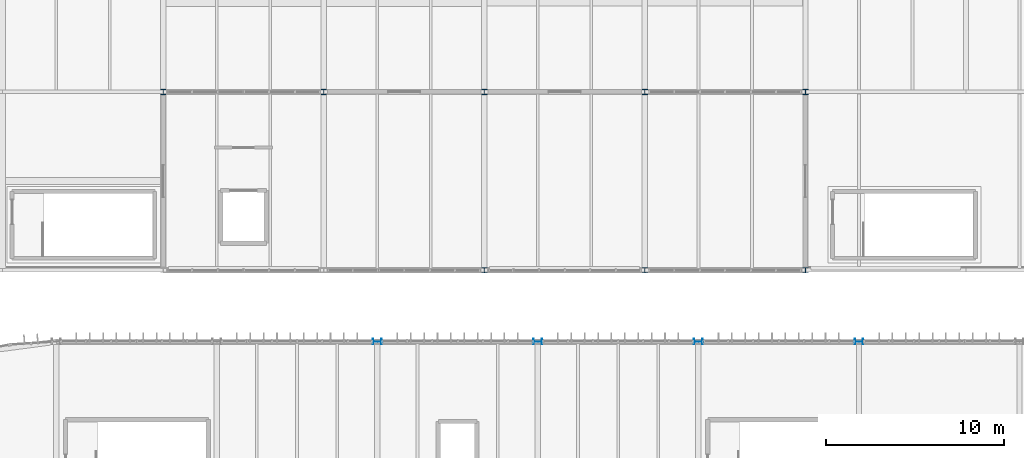
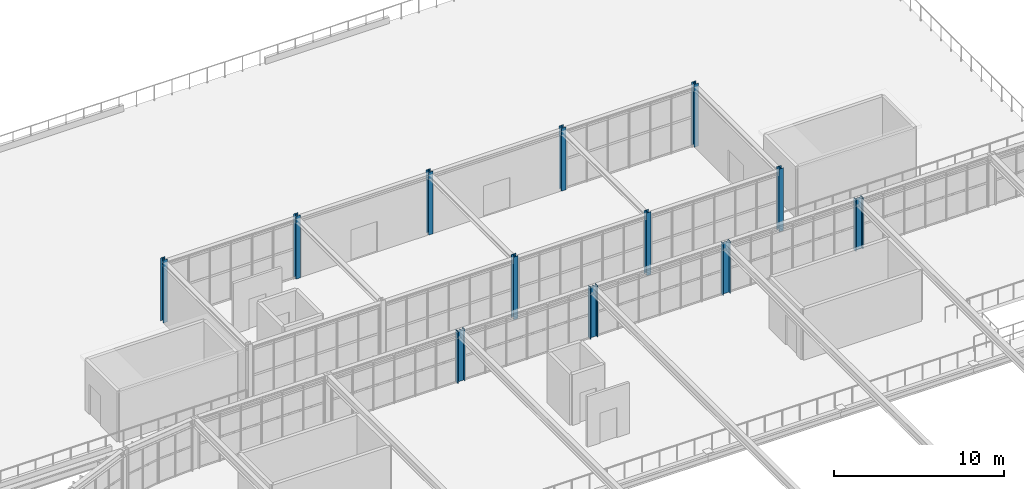
# One storey, part 7 of 152: 12 columns.
"""IFC4 building model written with IfcOpenShell, lengths in metres."""

import ifcopenshell
import ifcopenshell.guid

model = None  # the IFC model being written
_history = None  # IfcOwnerHistory: only IFC2X3 demands one
_inside = {}  # id of a spatial element -> (the spatial element, [elements in it])
_under = {}  # id of a project, library or spatial element -> (it, [spatial elements below it])
_declared = {}  # id of a project -> (the project, [libraries it declares])
_typed = {}  # id of a type object -> (the type object, [elements of that type])
_made_of = {}  # id of a material, layer set ... -> (it, [elements and type objects made of it])


def new_model(schema):
    """Start an empty IFC model of exactly this schema.

    Asked for "IFC4X3", IfcOpenShell would pick the latest addendum, in which some entities
    have other attributes; the version numbers below select the first issue.
    IFC2X3 requires an IfcOwnerHistory on every rooted entity: one is made here for all.
    """
    global model, _history
    if schema == "IFC4X3":
        model = ifcopenshell.file(schema_version=(4, 3, 0, 0))
    else:
        model = ifcopenshell.file(schema=schema)
    _inside.clear()
    _under.clear()
    _declared.clear()
    _typed.clear()
    _made_of.clear()
    _history = None
    if model.schema == "IFC2X3":
        org = make("IfcOrganization", Name="unknown")
        user = make(
            "IfcPersonAndOrganization",
            ThePerson=make("IfcPerson", FamilyName="unknown"),
            TheOrganization=org,
        )
        app = make(
            "IfcApplication",
            ApplicationDeveloper=org,
            Version="unknown",
            ApplicationFullName="unknown",
            ApplicationIdentifier="unknown",
        )
        _history = make(
            "IfcOwnerHistory",
            OwningUser=user,
            OwningApplication=app,
            ChangeAction="ADDED",
            CreationDate=0,
        )
    return model


def make(cls, **values):
    """One entity of the class cls with the attributes given. An attribute that is None is left unset."""
    return model.create_entity(
        cls, **{name: value for name, value in values.items() if value is not None}
    )


def rooted(cls, **values):
    """An entity with a GlobalId (a new one), such as an element, a storey or a relation."""
    return make(cls, GlobalId=ifcopenshell.guid.new(), OwnerHistory=_history, **values)


def si_unit(unit_type, name, prefix=None):
    """IfcSIUnit, for example si_unit("LENGTHUNIT", "METRE", prefix="MILLI")."""
    return make("IfcSIUnit", UnitType=unit_type, Prefix=prefix, Name=name)


def derived_unit(unit_type, elements):
    """IfcDerivedUnit: a product of units, each with its exponent."""
    return make(
        "IfcDerivedUnit",
        Elements=[
            make("IfcDerivedUnitElement", Unit=unit, Exponent=power)
            for unit, power in elements
        ],
        UnitType=unit_type,
    )


def assignment(units):
    """IfcUnitAssignment: the units of a project."""
    return None if units is None else make("IfcUnitAssignment", Units=units)


def point(xyz):
    """IfcCartesianPoint."""
    return None if xyz is None else make("IfcCartesianPoint", Coordinates=xyz)


def direction(xyz):
    """IfcDirection."""
    return None if xyz is None else make("IfcDirection", DirectionRatios=xyz)


def frame(location, z_axis=None, x_axis=None):
    """IfcAxis2Placement3D, a coordinate frame: its origin and axes. An axis left out is left unset."""
    return make(
        "IfcAxis2Placement3D",
        Location=point(location),
        Axis=direction(z_axis),
        RefDirection=direction(x_axis),
    )


def frame_2d(location, x_axis=None):
    """IfcAxis2Placement2D, a coordinate frame in the plane: its origin and x axis."""
    return make(
        "IfcAxis2Placement2D", Location=point(location), RefDirection=direction(x_axis)
    )


def origin():
    """The frame at (0, 0, 0) with its axes left unset."""
    return frame((0.0, 0.0, 0.0))


def origin_2d():
    """The frame at (0, 0) in the plane with its x axis left unset."""
    return frame_2d((0.0, 0.0))


def place(relative_to, where):
    """IfcLocalPlacement: puts the frame where relative to a parent placement (None: the world)."""
    return make(
        "IfcLocalPlacement", PlacementRelTo=relative_to, RelativePlacement=where
    )


def context(
    kind, dimensions, precision=None, world=None, true_north=None, identifier=None
):
    """IfcGeometricRepresentationContext, for example the 3D "Model" context."""
    return make(
        "IfcGeometricRepresentationContext",
        ContextIdentifier=identifier,
        ContextType=kind,
        CoordinateSpaceDimension=dimensions,
        Precision=precision,
        WorldCoordinateSystem=world,
        TrueNorth=true_north,
    )


def subcontext(parent, identifier, kind, view, scale=None):
    """IfcGeometricRepresentationSubContext, for example "Body" below "Model"."""
    return make(
        "IfcGeometricRepresentationSubContext",
        ContextIdentifier=identifier,
        ContextType=kind,
        ParentContext=parent,
        TargetScale=scale,
        TargetView=view,
    )


def project(units=None, contexts=None):
    """IfcProject with its units and contexts."""
    return rooted(
        "IfcProject",
        Name="project",
        RepresentationContexts=contexts,
        UnitsInContext=assignment(units),
    )


def spatial(cls, under=None, at=None, **own):
    """A site, building, storey or space (cls), placed at a placement, below another one or the project."""
    s = rooted(cls, ObjectPlacement=at, **own)
    if under is not None:
        _under.setdefault(under.id(), (under, []))[1].append(s)
    return s


def profile(cls, at=None, kind="AREA", **sizes):
    """A parametric profile (cls). Its sizes go by their IFC names, for example OverallWidth=200.0."""
    return make(cls, ProfileType=kind, Position=at, **sizes)


def i_section(**sizes):
    """IfcIShapeProfileDef."""
    return profile("IfcIShapeProfileDef", **sizes)


def extrude(swept, where, along, depth):
    """IfcExtrudedAreaSolid: the profile swept, set in the frame where, extruded along a direction by depth."""
    return make(
        "IfcExtrudedAreaSolid",
        SweptArea=swept,
        Position=where,
        ExtrudedDirection=direction(along),
        Depth=depth,
    )


def shape(context_of_items, identifier, shape_type, items):
    """IfcShapeRepresentation: the items that make up one representation, for example the "Body"."""
    return make(
        "IfcShapeRepresentation",
        ContextOfItems=context_of_items,
        RepresentationIdentifier=identifier,
        RepresentationType=shape_type,
        Items=items,
    )


def material(Name=None, Category=None):
    """IfcMaterial."""
    return make("IfcMaterial", Name=Name, Category=Category)


def material_profile(
    of_material, cross_section, Name=None, Category=None, Priority=None
):
    """IfcMaterialProfile: a cross section and its material."""
    return make(
        "IfcMaterialProfile",
        Name=Name,
        Material=of_material,
        Profile=cross_section,
        Priority=Priority,
        Category=Category,
    )


def profile_set(profiles, Name=None, composite=None):
    """IfcMaterialProfileSet."""
    return make(
        "IfcMaterialProfileSet",
        Name=Name,
        MaterialProfiles=profiles,
        CompositeProfile=composite,
    )


def made_of(thing, what):
    """Note that an element or type object is made of a material, layer set ...; save() writes the relation."""
    if what is not None:
        _made_of.setdefault(what.id(), (what, []))[1].append(thing)
    return thing


def type_object(cls, material=None, **own):
    """A type object (cls), such as IfcWallType, which elements share."""
    return made_of(rooted(cls, **own), material)


def element(
    cls,
    number,
    at=None,
    inside=None,
    cuts=None,
    type_object=None,
    material=None,
    context=None,
    identifier="Body",
    shape_type=None,
    held_by="IfcProductDefinitionShape",
    body=None,
    shapes=None,
    **own,
):
    """One element of the class cls, such as IfcWall. Its Tag is "e" and its number.

    at: its placement. inside: the storey or other place that contains it. cuts: it is an
    opening in that element (IfcRelVoidsElement). A single representation is given by context,
    identifier, shape_type and body (its items); several are given by shapes. held_by: the class
    of the entity that holds the representations. save() writes the other relations.
    """
    e = rooted(cls, Tag="e%d" % number, ObjectPlacement=at, **own)
    if body is not None:
        shapes = [shape(context, identifier, shape_type, body)]
    if shapes is not None:
        e.Representation = make(held_by, Representations=shapes)
    if inside is not None:
        _inside.setdefault(inside.id(), (inside, []))[1].append(e)
    if cuts is not None:
        rooted(
            "IfcRelVoidsElement", RelatingBuildingElement=cuts, RelatedOpeningElement=e
        )
    if type_object is not None:
        _typed.setdefault(type_object.id(), (type_object, []))[1].append(e)
    return made_of(e, material)


def aggregate(whole, parts):
    """IfcRelAggregates: a whole, such as a stair, and the parts it consists of."""
    return rooted("IfcRelAggregates", RelatingObject=whole, RelatedObjects=parts)


def save(model, path):
    """Write the relations noted so far, then the file.

    IfcRelAggregates (storeys below a building ...), IfcRelContainedInSpatialStructure (elements
    in a storey), IfcRelDefinesByType, IfcRelAssociatesMaterial and IfcRelDeclares: one each for
    every whole, place, type object, material and project.
    """
    for whole, parts in _under.values():
        aggregate(whole, parts)
    for where, things in _inside.values():
        rooted(
            "IfcRelContainedInSpatialStructure",
            RelatedElements=things,
            RelatingStructure=where,
        )
    for kind, things in _typed.values():
        rooted("IfcRelDefinesByType", RelatedObjects=things, RelatingType=kind)
    for what, things in _made_of.values():
        rooted("IfcRelAssociatesMaterial", RelatedObjects=things, RelatingMaterial=what)
    for by, libraries in _declared.values():
        rooted("IfcRelDeclares", RelatingContext=by, RelatedDefinitions=libraries)
    model.write(path)


model = new_model("IFC4")

# Units and contexts
model_context = context("Model", 3, precision=1e-05, world=origin(), true_north=direction((0.0, 1.0)))
body_context = subcontext(model_context, "Body", "Model", "MODEL_VIEW")
ifc_project = project(units=[si_unit("LENGTHUNIT", "METRE"), si_unit("AREAUNIT", "SQUARE_METRE"), si_unit("VOLUMEUNIT", "CUBIC_METRE"), si_unit("PLANEANGLEUNIT", "RADIAN"), si_unit("MASSUNIT", "GRAM", prefix="KILO"), si_unit("THERMODYNAMICTEMPERATUREUNIT", "KELVIN"), si_unit("TIMEUNIT", "SECOND"), derived_unit("THERMALTRANSMITTANCEUNIT", [(si_unit("MASSUNIT", "GRAM", prefix="KILO"), 1), (si_unit("THERMODYNAMICTEMPERATUREUNIT", "KELVIN"), -1), (si_unit("TIMEUNIT", "SECOND"), -3)])], contexts=[model_context])

# Site, building, storey
site_placement = place(None, origin())
site = spatial("IfcSite", under=ifc_project, at=site_placement, CompositionType="ELEMENT")
building_placement = place(site_placement, origin())
building = spatial("IfcBuilding", under=site, at=building_placement, Name="Cambertide Market Hall", CompositionType="ELEMENT")
storey_placement = place(building_placement, frame((0.0, 0.0, 5.39990234375)))
storey = spatial("IfcBuildingStorey", under=building, at=storey_placement, Name="L02", CompositionType="ELEMENT", Elevation=5.39990234375)

# Columns
ifc_material_1 = material(Name="Steel S355", Category="steel")
ifc_material_profile_1 = material_profile(ifc_material_1, i_section(OverallWidth=0.300048828125, OverallDepth=0.300048828125, WebThickness=0.010986328125, FlangeThickness=0.01904296875, FilletRadius=0.027099609375, at=origin_2d()), Name="HEB 300")
ifc_profile_set_1 = profile_set([ifc_material_profile_1], Name="Steel S355")
column_type_1 = type_object("IfcColumnType", Name="Exterior Steel Column HEB 300", PredefinedType="COLUMN", material=ifc_profile_set_1)
for number, where, z_axis, x_axis, name in (
    (1, (48.0, 106.0, 0.0), (0.0, 0.0, 1.0), (1.0, 0.0, 0.0), "Level 2 Column COL-V2-5-2-L02"),
    (2, (57.0, 106.0, 0.0), (0.0, 0.0, 1.0), (1.0, 0.0, 0.0), "Level 2 Column COL-V2-6-2-L02"),
    (3, (66.0, 96.0, 0.0), (0.0, 0.0, 1.0), (1.0, 0.0, 0.0), "Level 2 Column COL-V2-7-1-L02"),
    (4, (66.0, 106.0, 0.0), (0.0, 0.0, 1.0), (1.0, 0.0, 0.0), "Level 2 Column COL-V2-7-2-L02"),
    (5, (75.0, 96.0, 0.0), (0.0, 0.0, 1.0), (1.0, 0.0, 0.0), "Level 2 Column COL-V2-8-1-L02"),
    (6, (75.0, 106.0, 0.0), (0.0, 0.0, 1.0), (1.0, 0.0, 0.0), "Level 2 Column COL-V2-8-2-L02"),
    (7, (84.0, 96.0, 0.0), (0.0, 0.0, 1.0), (1.0, 0.0, 0.0), "Level 2 Column COL-V2-9-1-L02"),
    (8, (84.0, 106.0, 0.0), (0.0, 0.0, 1.0), (1.0, 0.0, 0.0), "Level 2 Column COL-V2-9-2-L02"),
):
    element("IfcColumn", number, at=place(storey_placement, frame(where, z_axis=z_axis, x_axis=x_axis)), inside=storey, type_object=column_type_1, Name=name, PredefinedType="COLUMN", context=body_context, shape_type="SweptSolid", body=[
        extrude(i_section(OverallWidth=0.300048828125, OverallDepth=0.300048828125, WebThickness=0.010986328125, FlangeThickness=0.01904296875, FilletRadius=0.027099609375, at=origin_2d()), origin(), (0.0, 0.0, 1.0), 4.5),
    ])
ifc_material_2 = material(Name="Steel S355", Category="steel")
ifc_material_profile_2 = material_profile(ifc_material_2, i_section(OverallWidth=0.300048828125, OverallDepth=0.5, WebThickness=0.014404296875, FlangeThickness=0.028076171875, FilletRadius=0.027099609375, at=origin_2d()), Name="HEB 500")
ifc_profile_set_2 = profile_set([ifc_material_profile_2], Name="Steel S355")
column_type_2 = type_object("IfcColumnType", Name="Exterior Steel Column HEB 500", PredefinedType="COLUMN", material=ifc_profile_set_2)
for number, where, z_axis, x_axis, name in (
    (9, (60.0, 92.0, 0.0), (0.0, 0.0, 1.0), (0.0, 1.0, 0.0), "Level 2 Column COL-V1-N3-L02"),
    (10, (69.0, 92.0, 0.0), (0.0, 0.0, 1.0), (0.0, 1.0, 0.0), "Level 2 Column COL-V1-N4-L02"),
    (11, (78.0, 92.0, 0.0), (0.0, 0.0, 1.0), (0.0, 1.0, 0.0), "Level 2 Column COL-V1-N5-L02"),
    (12, (87.0, 92.0, 0.0), (0.0, 0.0, 1.0), (0.0, 1.0, 0.0), "Level 2 Column COL-V1-N6-L02"),
):
    element("IfcColumn", number, at=place(storey_placement, frame(where, z_axis=z_axis, x_axis=x_axis)), inside=storey, type_object=column_type_2, Name=name, PredefinedType="COLUMN", context=body_context, shape_type="SweptSolid", body=[
        extrude(i_section(OverallWidth=0.300048828125, OverallDepth=0.5, WebThickness=0.014404296875, FlangeThickness=0.028076171875, FilletRadius=0.027099609375, at=origin_2d()), origin(), (0.0, 0.0, 1.0), 3.7001953125),
    ])

save(model, "model.ifc")
